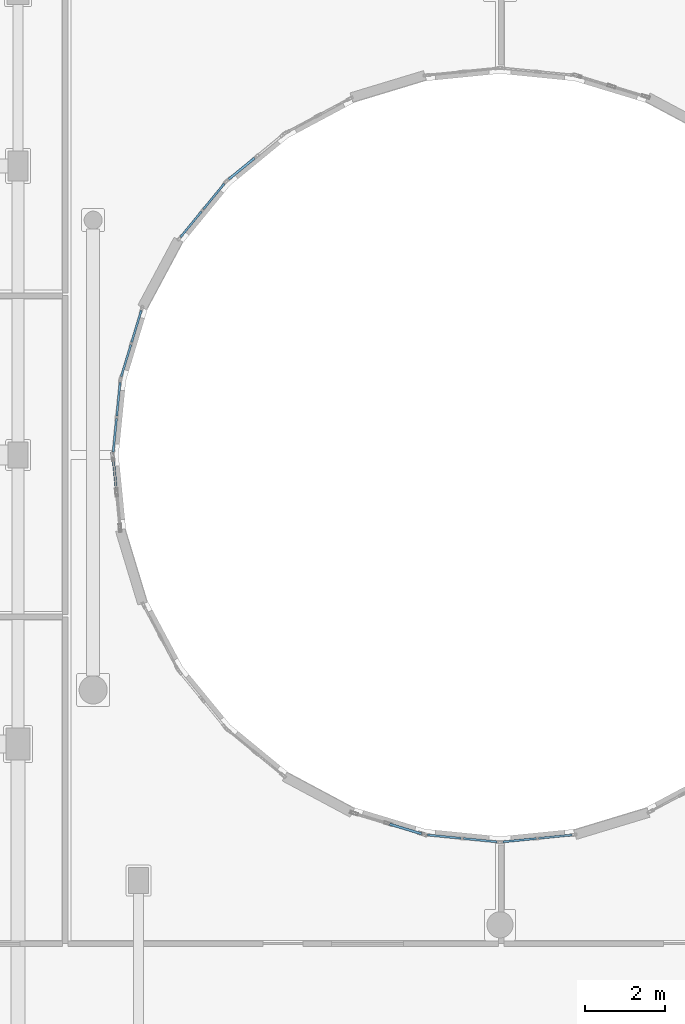
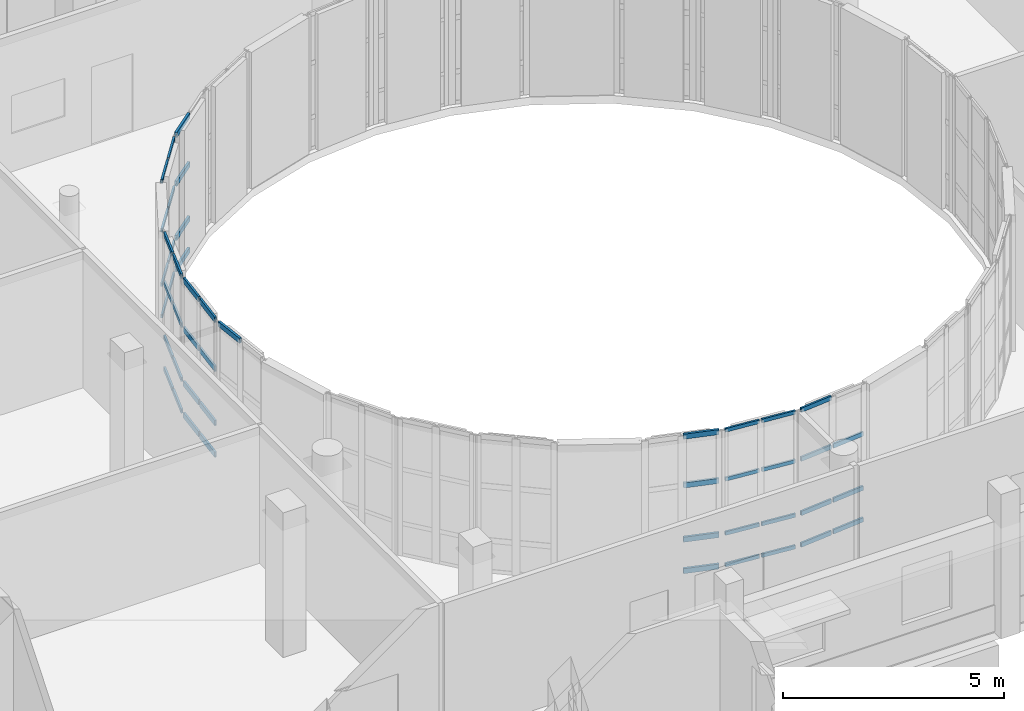
# One storey, part 56 of 105: 48 members, 8 elements without a shape of their own.
"""IFC4 building model written with IfcOpenShell, lengths in metres."""

from ifc_helpers import new_model, si_unit, direction, frame, origin, origin_2d, place, context, subcontext, project, spatial, hollow_rectangle, extrude, material, layer, layer_set, material_profile, profile_set, type_object, element, aggregate, save


model = new_model("IFC4")

# Units and contexts
model_context = context("Model", 3, precision=1e-05, world=origin(), true_north=direction((0.0, 1.0)))
body_context = subcontext(model_context, "Body", "Model", "MODEL_VIEW")
ifc_project = project(units=[si_unit("LENGTHUNIT", "METRE"), si_unit("AREAUNIT", "SQUARE_METRE"), si_unit("VOLUMEUNIT", "CUBIC_METRE"), si_unit("PLANEANGLEUNIT", "RADIAN"), si_unit("MASSUNIT", "GRAM", prefix="KILO")], contexts=[model_context])

# Site, building, storey
site_placement = place(None, origin())
site = spatial("IfcSite", under=ifc_project, at=site_placement, CompositionType="ELEMENT")
building_placement = place(site_placement, origin())
building = spatial("IfcBuilding", under=site, at=building_placement, Name="Kelanivale Promenade Academy", CompositionType="ELEMENT")
storey_placement = place(building_placement, frame((0.0, 0.0, 4.199951171875)))
storey = spatial("IfcBuildingStorey", under=building, at=storey_placement, Name="L01", CompositionType="ELEMENT", Elevation=4.199951171875)

# Curtain wall, members
ifc_material_1 = material(Name="Bronze anodised aluminium and solar-control low-E glass", Category="aluminium")
ifc_layer_1 = layer(ifc_material_1, 0.169921875)
ifc_layer_set_1 = layer_set([ifc_layer_1], Name="Bronze anodised aluminium and solar-control low-E glass")
curtain_wall_type_1 = type_object("IfcCurtainWallType", Name="CW-13 Curtain Wall 1350mm Module", PredefinedType="USERDEFINED", material=ifc_layer_set_1)
curtain_wall_1_placement = place(storey_placement, origin())
curtain_wall_1 = element("IfcCurtainWall", 1, at=curtain_wall_1_placement, inside=storey, type_object=curtain_wall_type_1, Name="L01 courtyard curtain wall CW-13", ObjectType="COURTYARD SCREEN GLAZING", PredefinedType="USERDEFINED")
ifc_material_2 = material(Name="Bronze anodised aluminium EN AW-6063 T6", Category="aluminium")
ifc_material_profile_1 = material_profile(ifc_material_2, hollow_rectangle(XDim=0.050048828125, YDim=0.10009765625, WallThickness=0.0029296875, at=origin_2d()), Name="ALU 50x100x3.0")
ifc_profile_set_1 = profile_set([ifc_material_profile_1], Name="Bronze anodised aluminium EN AW-6063 T6")
member_type_1 = type_object("IfcMemberType", Name="CWT-01 ALU 50x100x3.0", PredefinedType="USERDEFINED", material=ifc_profile_set_1)
member_1_placement = place(storey_placement, frame((91.93603515625, 63.560546875, 0.025146484375), z_axis=(-0.634258248108, -0.773121254854, 0.0), x_axis=(0.773121254854, -0.634258248108, 0.0)))
member_1 = element("IfcMember", 2, at=member_1_placement, type_object=member_type_1, Name="CW-13 transom 1.1", ObjectType="TRANSOM", PredefinedType="USERDEFINED", context=body_context, shape_type="SweptSolid", body=[
    extrude(hollow_rectangle(XDim=0.050048828125, YDim=0.10009765625, WallThickness=0.0029296875, at=origin_2d()), origin(), (0.0, 0.0, 1.0), 0.833251953125),
])
member_2_placement = place(storey_placement, frame((91.93603515625, 63.560546875, 0.900146484375), z_axis=(-0.634258248108, -0.773121254854, 0.0), x_axis=(0.773121254854, -0.634258248108, 0.0)))
member_2 = element("IfcMember", 3, at=member_2_placement, type_object=member_type_1, Name="CW-13 transom 1.2", ObjectType="TRANSOM", PredefinedType="USERDEFINED", context=body_context, shape_type="SweptSolid", body=[
    extrude(hollow_rectangle(XDim=0.050048828125, YDim=0.10009765625, WallThickness=0.0029296875, at=origin_2d()), origin(), (0.0, 0.0, 1.0), 0.833251953125),
])
member_3_placement = place(storey_placement, frame((91.93603515625, 63.560546875, 2.400146484375), z_axis=(-0.634258248108, -0.773121254854, 0.0), x_axis=(0.773121254854, -0.634258248108, 0.0)))
member_3 = element("IfcMember", 4, at=member_3_placement, type_object=member_type_1, Name="CW-13 transom 1.3", ObjectType="TRANSOM", PredefinedType="USERDEFINED", context=body_context, shape_type="SweptSolid", body=[
    extrude(hollow_rectangle(XDim=0.050048828125, YDim=0.10009765625, WallThickness=0.0029296875, at=origin_2d()), origin(), (0.0, 0.0, 1.0), 0.833251953125),
])
member_4_placement = place(storey_placement, frame((91.93603515625, 63.560546875, 3.755126953125), z_axis=(-0.634258248108, -0.773121254854, 0.0), x_axis=(0.773121254854, -0.634258248108, 0.0)))
member_4 = element("IfcMember", 5, at=member_4_placement, type_object=member_type_1, Name="CW-13 transom 1.4", ObjectType="TRANSOM", PredefinedType="USERDEFINED", context=body_context, shape_type="SweptSolid", body=[
    extrude(hollow_rectangle(XDim=0.050048828125, YDim=0.10009765625, WallThickness=0.0029296875, at=origin_2d()), origin(), (0.0, 0.0, 1.0), 0.833251953125),
])
member_5_placement = place(storey_placement, frame((91.369384765625, 62.869873046875, 0.025146484375), z_axis=(-0.633939444819, -0.77338268684, 0.0), x_axis=(0.77338268684, -0.633939444819, 0.0)))
member_5 = element("IfcMember", 6, at=member_5_placement, type_object=member_type_1, Name="CW-13 transom 2.1", ObjectType="TRANSOM", PredefinedType="USERDEFINED", context=body_context, shape_type="SweptSolid", body=[
    extrude(hollow_rectangle(XDim=0.050048828125, YDim=0.10009765625, WallThickness=0.0029296875, at=origin_2d()), origin(), (0.0, 0.0, 1.0), 0.83349609375),
])
member_6_placement = place(storey_placement, frame((91.369384765625, 62.869873046875, 0.900146484375), z_axis=(-0.633939444819, -0.77338268684, 0.0), x_axis=(0.77338268684, -0.633939444819, 0.0)))
member_6 = element("IfcMember", 7, at=member_6_placement, type_object=member_type_1, Name="CW-13 transom 2.2", ObjectType="TRANSOM", PredefinedType="USERDEFINED", context=body_context, shape_type="SweptSolid", body=[
    extrude(hollow_rectangle(XDim=0.050048828125, YDim=0.10009765625, WallThickness=0.0029296875, at=origin_2d()), origin(), (0.0, 0.0, 1.0), 0.83349609375),
])
member_7_placement = place(storey_placement, frame((91.369384765625, 62.869873046875, 2.400146484375), z_axis=(-0.633939444819, -0.77338268684, 0.0), x_axis=(0.77338268684, -0.633939444819, 0.0)))
member_7 = element("IfcMember", 8, at=member_7_placement, type_object=member_type_1, Name="CW-13 transom 2.3", ObjectType="TRANSOM", PredefinedType="USERDEFINED", context=body_context, shape_type="SweptSolid", body=[
    extrude(hollow_rectangle(XDim=0.050048828125, YDim=0.10009765625, WallThickness=0.0029296875, at=origin_2d()), origin(), (0.0, 0.0, 1.0), 0.83349609375),
])
member_8_placement = place(storey_placement, frame((91.369384765625, 62.869873046875, 3.755126953125), z_axis=(-0.633939444819, -0.77338268684, 0.0), x_axis=(0.77338268684, -0.633939444819, 0.0)))
member_8 = element("IfcMember", 9, at=member_8_placement, type_object=member_type_1, Name="CW-13 transom 2.4", ObjectType="TRANSOM", PredefinedType="USERDEFINED", context=body_context, shape_type="SweptSolid", body=[
    extrude(hollow_rectangle(XDim=0.050048828125, YDim=0.10009765625, WallThickness=0.0029296875, at=origin_2d()), origin(), (0.0, 0.0, 1.0), 0.83349609375),
])
aggregate(curtain_wall_1, [member_1, member_2, member_3, member_4, member_5, member_6, member_7, member_8])

ifc_layer_2 = layer(ifc_material_1, 0.159912109375)
ifc_layer_set_2 = layer_set([ifc_layer_2], Name="Bronze anodised aluminium and solar-control low-E glass")
curtain_wall_type_2 = type_object("IfcCurtainWallType", Name="CW-21 Curtain Wall 1650mm Module", PredefinedType="USERDEFINED", material=ifc_layer_set_2)
curtain_wall_2_placement = place(storey_placement, origin())
curtain_wall_2 = element("IfcCurtainWall", 10, at=curtain_wall_2_placement, inside=storey, type_object=curtain_wall_type_2, Name="L01 courtyard curtain wall CW-21", ObjectType="COURTYARD SCREEN GLAZING", PredefinedType="USERDEFINED")
member_9_placement = place(storey_placement, frame((96.99267578125, 47.338134765625, 0.025146484375), z_axis=(0.995145812266, -0.098411444095, 0.0), x_axis=(0.098411444095, 0.995145812266, 0.0)))
member_9 = element("IfcMember", 11, at=member_9_placement, type_object=member_type_1, Name="CW-21 transom 1.1", ObjectType="TRANSOM", PredefinedType="USERDEFINED", context=body_context, shape_type="SweptSolid", body=[
    extrude(hollow_rectangle(XDim=0.050048828125, YDim=0.10009765625, WallThickness=0.0029296875, at=origin_2d()), origin(), (0.0, 0.0, 1.0), 0.841064453125),
])
member_10_placement = place(storey_placement, frame((96.99267578125, 47.338134765625, 0.900146484375), z_axis=(0.995145812266, -0.098411444095, 0.0), x_axis=(0.098411444095, 0.995145812266, 0.0)))
member_10 = element("IfcMember", 12, at=member_10_placement, type_object=member_type_1, Name="CW-21 transom 1.2", ObjectType="TRANSOM", PredefinedType="USERDEFINED", context=body_context, shape_type="SweptSolid", body=[
    extrude(hollow_rectangle(XDim=0.050048828125, YDim=0.10009765625, WallThickness=0.0029296875, at=origin_2d()), origin(), (0.0, 0.0, 1.0), 0.841064453125),
])
member_11_placement = place(storey_placement, frame((96.99267578125, 47.338134765625, 2.400146484375), z_axis=(0.995145812266, -0.098411444095, 0.0), x_axis=(0.098411444095, 0.995145812266, 0.0)))
member_11 = element("IfcMember", 13, at=member_11_placement, type_object=member_type_1, Name="CW-21 transom 1.3", ObjectType="TRANSOM", PredefinedType="USERDEFINED", context=body_context, shape_type="SweptSolid", body=[
    extrude(hollow_rectangle(XDim=0.050048828125, YDim=0.10009765625, WallThickness=0.0029296875, at=origin_2d()), origin(), (0.0, 0.0, 1.0), 0.841064453125),
])
member_12_placement = place(storey_placement, frame((96.99267578125, 47.338134765625, 3.755126953125), z_axis=(0.995145812266, -0.098411444095, 0.0), x_axis=(0.098411444095, 0.995145812266, 0.0)))
member_12 = element("IfcMember", 14, at=member_12_placement, type_object=member_type_1, Name="CW-21 transom 1.4", ObjectType="TRANSOM", PredefinedType="USERDEFINED", context=body_context, shape_type="SweptSolid", body=[
    extrude(hollow_rectangle(XDim=0.050048828125, YDim=0.10009765625, WallThickness=0.0029296875, at=origin_2d()), origin(), (0.0, 0.0, 1.0), 0.841064453125),
])
member_13_placement = place(storey_placement, frame((97.889404296875, 47.24951171875, 0.025146484375), z_axis=(0.995174201639, -0.098123944036, 0.0), x_axis=(0.098123944036, 0.995174201639, 0.0)))
member_13 = element("IfcMember", 15, at=member_13_placement, type_object=member_type_1, Name="CW-21 transom 2.1", ObjectType="TRANSOM", PredefinedType="USERDEFINED", context=body_context, shape_type="SweptSolid", body=[
    extrude(hollow_rectangle(XDim=0.050048828125, YDim=0.10009765625, WallThickness=0.0029296875, at=origin_2d()), origin(), (0.0, 0.0, 1.0), 0.841064453125),
])
member_14_placement = place(storey_placement, frame((97.889404296875, 47.24951171875, 0.900146484375), z_axis=(0.995174201639, -0.098123944036, 0.0), x_axis=(0.098123944036, 0.995174201639, 0.0)))
member_14 = element("IfcMember", 16, at=member_14_placement, type_object=member_type_1, Name="CW-21 transom 2.2", ObjectType="TRANSOM", PredefinedType="USERDEFINED", context=body_context, shape_type="SweptSolid", body=[
    extrude(hollow_rectangle(XDim=0.050048828125, YDim=0.10009765625, WallThickness=0.0029296875, at=origin_2d()), origin(), (0.0, 0.0, 1.0), 0.841064453125),
])
member_15_placement = place(storey_placement, frame((97.889404296875, 47.24951171875, 2.400146484375), z_axis=(0.995174201639, -0.098123944036, 0.0), x_axis=(0.098123944036, 0.995174201639, 0.0)))
member_15 = element("IfcMember", 17, at=member_15_placement, type_object=member_type_1, Name="CW-21 transom 2.3", ObjectType="TRANSOM", PredefinedType="USERDEFINED", context=body_context, shape_type="SweptSolid", body=[
    extrude(hollow_rectangle(XDim=0.050048828125, YDim=0.10009765625, WallThickness=0.0029296875, at=origin_2d()), origin(), (0.0, 0.0, 1.0), 0.841064453125),
])
member_16_placement = place(storey_placement, frame((97.889404296875, 47.24951171875, 3.755126953125), z_axis=(0.995174201639, -0.098123944036, 0.0), x_axis=(0.098123944036, 0.995174201639, 0.0)))
member_16 = element("IfcMember", 18, at=member_16_placement, type_object=member_type_1, Name="CW-21 transom 2.4", ObjectType="TRANSOM", PredefinedType="USERDEFINED", context=body_context, shape_type="SweptSolid", body=[
    extrude(hollow_rectangle(XDim=0.050048828125, YDim=0.10009765625, WallThickness=0.0029296875, at=origin_2d()), origin(), (0.0, 0.0, 1.0), 0.841064453125),
])
aggregate(curtain_wall_2, [member_9, member_10, member_11, member_12, member_13, member_14, member_15, member_16])

ifc_layer_3 = layer(ifc_material_1, 0.179931640625)
ifc_layer_set_3 = layer_set([ifc_layer_3], Name="Bronze anodised aluminium and solar-control low-E glass")
curtain_wall_type_3 = type_object("IfcCurtainWallType", Name="CW-14 Curtain Wall 1500mm Module", PredefinedType="USERDEFINED", material=ifc_layer_set_3)
curtain_wall_3_placement = place(storey_placement, origin())
curtain_wall_3 = element("IfcCurtainWall", 19, at=curtain_wall_3_placement, inside=storey, type_object=curtain_wall_type_3, Name="L01 courtyard curtain wall CW-14", ObjectType="COURTYARD SCREEN GLAZING", PredefinedType="USERDEFINED")
ifc_material_profile_2 = material_profile(ifc_material_2, hollow_rectangle(XDim=0.050048828125, YDim=0.1201171875, WallThickness=0.0029296875, at=origin_2d()), Name="ALU 50x120x3.0")
ifc_profile_set_2 = profile_set([ifc_material_profile_2], Name="Bronze anodised aluminium EN AW-6063 T6")
member_type_2 = type_object("IfcMemberType", Name="CWT-02 ALU 50x120x3.0", PredefinedType="USERDEFINED", material=ifc_profile_set_2)
member_17_placement = place(storey_placement, frame((89.86767578125, 60.404541015625, 0.025146484375), z_axis=(-0.2901943181, -0.956967741223, 0.0), x_axis=(0.956967741223, -0.2901943181, 0.0)))
member_17 = element("IfcMember", 20, at=member_17_placement, type_object=member_type_2, Name="CW-14 transom 1.1", ObjectType="TRANSOM", PredefinedType="USERDEFINED", context=body_context, shape_type="SweptSolid", body=[
    extrude(hollow_rectangle(XDim=0.050048828125, YDim=0.1201171875, WallThickness=0.0029296875, at=origin_2d()), origin(), (0.0, 0.0, 1.0), 0.833740234375),
])
member_18_placement = place(storey_placement, frame((89.86767578125, 60.404541015625, 0.900146484375), z_axis=(-0.2901943181, -0.956967741223, 0.0), x_axis=(0.956967741223, -0.2901943181, 0.0)))
member_18 = element("IfcMember", 21, at=member_18_placement, type_object=member_type_2, Name="CW-14 transom 1.2", ObjectType="TRANSOM", PredefinedType="USERDEFINED", context=body_context, shape_type="SweptSolid", body=[
    extrude(hollow_rectangle(XDim=0.050048828125, YDim=0.1201171875, WallThickness=0.0029296875, at=origin_2d()), origin(), (0.0, 0.0, 1.0), 0.833740234375),
])
member_19_placement = place(storey_placement, frame((89.86767578125, 60.404541015625, 2.400146484375), z_axis=(-0.2901943181, -0.956967741223, 0.0), x_axis=(0.956967741223, -0.2901943181, 0.0)))
member_19 = element("IfcMember", 22, at=member_19_placement, type_object=member_type_2, Name="CW-14 transom 1.3", ObjectType="TRANSOM", PredefinedType="USERDEFINED", context=body_context, shape_type="SweptSolid", body=[
    extrude(hollow_rectangle(XDim=0.050048828125, YDim=0.1201171875, WallThickness=0.0029296875, at=origin_2d()), origin(), (0.0, 0.0, 1.0), 0.833740234375),
])
member_20_placement = place(storey_placement, frame((89.86767578125, 60.404541015625, 3.755126953125), z_axis=(-0.2901943181, -0.956967741223, 0.0), x_axis=(0.956967741223, -0.2901943181, 0.0)))
member_20 = element("IfcMember", 23, at=member_20_placement, type_object=member_type_2, Name="CW-14 transom 1.4", ObjectType="TRANSOM", PredefinedType="USERDEFINED", context=body_context, shape_type="SweptSolid", body=[
    extrude(hollow_rectangle(XDim=0.050048828125, YDim=0.1201171875, WallThickness=0.0029296875, at=origin_2d()), origin(), (0.0, 0.0, 1.0), 0.833740234375),
])
member_21_placement = place(storey_placement, frame((89.6083984375, 59.54931640625, 0.025146484375), z_axis=(-0.2901943181, -0.956967741223, 0.0), x_axis=(0.956967741223, -0.2901943181, 0.0)))
member_21 = element("IfcMember", 24, at=member_21_placement, type_object=member_type_2, Name="CW-14 transom 2.1", ObjectType="TRANSOM", PredefinedType="USERDEFINED", context=body_context, shape_type="SweptSolid", body=[
    extrude(hollow_rectangle(XDim=0.050048828125, YDim=0.1201171875, WallThickness=0.0029296875, at=origin_2d()), origin(), (0.0, 0.0, 1.0), 0.833740234375),
])
member_22_placement = place(storey_placement, frame((89.6083984375, 59.54931640625, 0.900146484375), z_axis=(-0.2901943181, -0.956967741223, 0.0), x_axis=(0.956967741223, -0.2901943181, 0.0)))
member_22 = element("IfcMember", 25, at=member_22_placement, type_object=member_type_2, Name="CW-14 transom 2.2", ObjectType="TRANSOM", PredefinedType="USERDEFINED", context=body_context, shape_type="SweptSolid", body=[
    extrude(hollow_rectangle(XDim=0.050048828125, YDim=0.1201171875, WallThickness=0.0029296875, at=origin_2d()), origin(), (0.0, 0.0, 1.0), 0.833740234375),
])
member_23_placement = place(storey_placement, frame((89.6083984375, 59.54931640625, 2.400146484375), z_axis=(-0.2901943181, -0.956967741223, 0.0), x_axis=(0.956967741223, -0.2901943181, 0.0)))
member_23 = element("IfcMember", 26, at=member_23_placement, type_object=member_type_2, Name="CW-14 transom 2.3", ObjectType="TRANSOM", PredefinedType="USERDEFINED", context=body_context, shape_type="SweptSolid", body=[
    extrude(hollow_rectangle(XDim=0.050048828125, YDim=0.1201171875, WallThickness=0.0029296875, at=origin_2d()), origin(), (0.0, 0.0, 1.0), 0.833740234375),
])
member_24_placement = place(storey_placement, frame((89.6083984375, 59.54931640625, 3.755126953125), z_axis=(-0.2901943181, -0.956967741223, 0.0), x_axis=(0.956967741223, -0.2901943181, 0.0)))
member_24 = element("IfcMember", 27, at=member_24_placement, type_object=member_type_2, Name="CW-14 transom 2.4", ObjectType="TRANSOM", PredefinedType="USERDEFINED", context=body_context, shape_type="SweptSolid", body=[
    extrude(hollow_rectangle(XDim=0.050048828125, YDim=0.1201171875, WallThickness=0.0029296875, at=origin_2d()), origin(), (0.0, 0.0, 1.0), 0.833740234375),
])
aggregate(curtain_wall_3, [member_17, member_18, member_19, member_20, member_21, member_22, member_23, member_24])

ifc_layer_4 = layer(ifc_material_1, 0.169921875)
ifc_layer_set_4 = layer_set([ifc_layer_4], Name="Bronze anodised aluminium and solar-control low-E glass")
curtain_wall_type_4 = type_object("IfcCurtainWallType", Name="CW-22 Curtain Wall 1800mm Module", PredefinedType="USERDEFINED", material=ifc_layer_set_4)
curtain_wall_4_placement = place(storey_placement, origin())
curtain_wall_4 = element("IfcCurtainWall", 28, at=curtain_wall_4_placement, inside=storey, type_object=curtain_wall_type_4, Name="L01 courtyard curtain wall CW-22", ObjectType="COURTYARD SCREEN GLAZING", PredefinedType="USERDEFINED")
member_25_placement = place(storey_placement, frame((98.873779296875, 47.1669921875, 0.025146484375), z_axis=(0.995143929023, 0.098430485767, 0.0), x_axis=(-0.098430485767, 0.995143929023, 0.0)))
member_25 = element("IfcMember", 29, at=member_25_placement, type_object=member_type_2, Name="CW-22 transom 1.1", ObjectType="TRANSOM", PredefinedType="USERDEFINED", context=body_context, shape_type="SweptSolid", body=[
    extrude(hollow_rectangle(XDim=0.050048828125, YDim=0.1201171875, WallThickness=0.0029296875, at=origin_2d()), origin(), (0.0, 0.0, 1.0), 0.83349609375),
])
member_26_placement = place(storey_placement, frame((98.873779296875, 47.1669921875, 0.900146484375), z_axis=(0.995143929023, 0.098430485767, 0.0), x_axis=(-0.098430485767, 0.995143929023, 0.0)))
member_26 = element("IfcMember", 30, at=member_26_placement, type_object=member_type_2, Name="CW-22 transom 1.2", ObjectType="TRANSOM", PredefinedType="USERDEFINED", context=body_context, shape_type="SweptSolid", body=[
    extrude(hollow_rectangle(XDim=0.050048828125, YDim=0.1201171875, WallThickness=0.0029296875, at=origin_2d()), origin(), (0.0, 0.0, 1.0), 0.83349609375),
])
member_27_placement = place(storey_placement, frame((98.873779296875, 47.1669921875, 2.400146484375), z_axis=(0.995143929023, 0.098430485767, 0.0), x_axis=(-0.098430485767, 0.995143929023, 0.0)))
member_27 = element("IfcMember", 31, at=member_27_placement, type_object=member_type_2, Name="CW-22 transom 1.3", ObjectType="TRANSOM", PredefinedType="USERDEFINED", context=body_context, shape_type="SweptSolid", body=[
    extrude(hollow_rectangle(XDim=0.050048828125, YDim=0.1201171875, WallThickness=0.0029296875, at=origin_2d()), origin(), (0.0, 0.0, 1.0), 0.83349609375),
])
member_28_placement = place(storey_placement, frame((98.873779296875, 47.1669921875, 3.755126953125), z_axis=(0.995143929023, 0.098430485767, 0.0), x_axis=(-0.098430485767, 0.995143929023, 0.0)))
member_28 = element("IfcMember", 32, at=member_28_placement, type_object=member_type_2, Name="CW-22 transom 1.4", ObjectType="TRANSOM", PredefinedType="USERDEFINED", context=body_context, shape_type="SweptSolid", body=[
    extrude(hollow_rectangle(XDim=0.050048828125, YDim=0.1201171875, WallThickness=0.0029296875, at=origin_2d()), origin(), (0.0, 0.0, 1.0), 0.83349609375),
])
member_29_placement = place(storey_placement, frame((99.762939453125, 47.2548828125, 0.025146484375), z_axis=(0.99511519259, 0.098720582839, 0.0), x_axis=(-0.098720582839, 0.99511519259, 0.0)))
member_29 = element("IfcMember", 33, at=member_29_placement, type_object=member_type_2, Name="CW-22 transom 2.1", ObjectType="TRANSOM", PredefinedType="USERDEFINED", context=body_context, shape_type="SweptSolid", body=[
    extrude(hollow_rectangle(XDim=0.050048828125, YDim=0.1201171875, WallThickness=0.0029296875, at=origin_2d()), origin(), (0.0, 0.0, 1.0), 0.83349609375),
])
member_30_placement = place(storey_placement, frame((99.762939453125, 47.2548828125, 0.900146484375), z_axis=(0.99511519259, 0.098720582839, 0.0), x_axis=(-0.098720582839, 0.99511519259, 0.0)))
member_30 = element("IfcMember", 34, at=member_30_placement, type_object=member_type_2, Name="CW-22 transom 2.2", ObjectType="TRANSOM", PredefinedType="USERDEFINED", context=body_context, shape_type="SweptSolid", body=[
    extrude(hollow_rectangle(XDim=0.050048828125, YDim=0.1201171875, WallThickness=0.0029296875, at=origin_2d()), origin(), (0.0, 0.0, 1.0), 0.83349609375),
])
member_31_placement = place(storey_placement, frame((99.762939453125, 47.2548828125, 2.400146484375), z_axis=(0.99511519259, 0.098720582839, 0.0), x_axis=(-0.098720582839, 0.99511519259, 0.0)))
member_31 = element("IfcMember", 35, at=member_31_placement, type_object=member_type_2, Name="CW-22 transom 2.3", ObjectType="TRANSOM", PredefinedType="USERDEFINED", context=body_context, shape_type="SweptSolid", body=[
    extrude(hollow_rectangle(XDim=0.050048828125, YDim=0.1201171875, WallThickness=0.0029296875, at=origin_2d()), origin(), (0.0, 0.0, 1.0), 0.83349609375),
])
aggregate(curtain_wall_4, [member_25, member_26, member_27, member_28, member_29, member_30, member_31])

ifc_layer_5 = layer(ifc_material_1, 0.159912109375)
ifc_layer_set_5 = layer_set([ifc_layer_5], Name="Bronze anodised aluminium and solar-control low-E glass")
curtain_wall_type_5 = type_object("IfcCurtainWallType", Name="CW-15 Curtain Wall 1650mm Module", PredefinedType="USERDEFINED", material=ifc_layer_set_5)
curtain_wall_5_placement = place(storey_placement, origin())
curtain_wall_5 = element("IfcCurtainWall", 36, at=curtain_wall_5_placement, inside=storey, type_object=curtain_wall_type_5, Name="L01 courtyard curtain wall CW-15", ObjectType="COURTYARD SCREEN GLAZING", PredefinedType="USERDEFINED")
ifc_material_profile_3 = material_profile(ifc_material_2, hollow_rectangle(XDim=0.050048828125, YDim=0.14990234375, WallThickness=0.00341796875, at=origin_2d()), Name="ALU 50x150x3.5")
ifc_profile_set_3 = profile_set([ifc_material_profile_3], Name="Bronze anodised aluminium EN AW-6063 T6")
member_type_3 = type_object("IfcMemberType", Name="CWT-03 ALU 50x150x3.5", PredefinedType="USERDEFINED", material=ifc_profile_set_3)
member_32_placement = place(storey_placement, frame((89.337646484375, 58.602294921875, 0.025146484375), z_axis=(-0.098430485767, -0.995143929023, 0.0), x_axis=(0.995143929023, -0.098430485767, 0.0)))
member_32 = element("IfcMember", 37, at=member_32_placement, type_object=member_type_3, Name="CW-15 transom 1.1", ObjectType="TRANSOM", PredefinedType="USERDEFINED", context=body_context, shape_type="SweptSolid", body=[
    extrude(hollow_rectangle(XDim=0.050048828125, YDim=0.14990234375, WallThickness=0.00341796875, at=origin_2d()), origin(), (0.0, 0.0, 1.0), 0.83349609375),
])
member_33_placement = place(storey_placement, frame((89.337646484375, 58.602294921875, 0.900146484375), z_axis=(-0.098430485767, -0.995143929023, 0.0), x_axis=(0.995143929023, -0.098430485767, 0.0)))
member_33 = element("IfcMember", 38, at=member_33_placement, type_object=member_type_3, Name="CW-15 transom 1.2", ObjectType="TRANSOM", PredefinedType="USERDEFINED", context=body_context, shape_type="SweptSolid", body=[
    extrude(hollow_rectangle(XDim=0.050048828125, YDim=0.14990234375, WallThickness=0.00341796875, at=origin_2d()), origin(), (0.0, 0.0, 1.0), 0.83349609375),
])
member_34_placement = place(storey_placement, frame((89.337646484375, 58.602294921875, 2.400146484375), z_axis=(-0.098430485767, -0.995143929023, 0.0), x_axis=(0.995143929023, -0.098430485767, 0.0)))
member_34 = element("IfcMember", 39, at=member_34_placement, type_object=member_type_3, Name="CW-15 transom 1.3", ObjectType="TRANSOM", PredefinedType="USERDEFINED", context=body_context, shape_type="SweptSolid", body=[
    extrude(hollow_rectangle(XDim=0.050048828125, YDim=0.14990234375, WallThickness=0.00341796875, at=origin_2d()), origin(), (0.0, 0.0, 1.0), 0.83349609375),
])
member_35_placement = place(storey_placement, frame((89.337646484375, 58.602294921875, 3.755126953125), z_axis=(-0.098430485767, -0.995143929023, 0.0), x_axis=(0.995143929023, -0.098430485767, 0.0)))
member_35 = element("IfcMember", 40, at=member_35_placement, type_object=member_type_3, Name="CW-15 transom 1.4", ObjectType="TRANSOM", PredefinedType="USERDEFINED", context=body_context, shape_type="SweptSolid", body=[
    extrude(hollow_rectangle(XDim=0.050048828125, YDim=0.14990234375, WallThickness=0.00341796875, at=origin_2d()), origin(), (0.0, 0.0, 1.0), 0.83349609375),
])
member_36_placement = place(storey_placement, frame((89.249267578125, 57.708251953125, 0.025146484375), z_axis=(-0.098111759852, -0.995175402921, 0.0), x_axis=(0.995175402921, -0.098111759852, 0.0)))
member_36 = element("IfcMember", 41, at=member_36_placement, type_object=member_type_3, Name="CW-15 transom 2.1", ObjectType="TRANSOM", PredefinedType="USERDEFINED", context=body_context, shape_type="SweptSolid", body=[
    extrude(hollow_rectangle(XDim=0.050048828125, YDim=0.14990234375, WallThickness=0.00341796875, at=origin_2d()), origin(), (0.0, 0.0, 1.0), 0.83349609375),
])
member_37_placement = place(storey_placement, frame((89.249267578125, 57.708251953125, 0.900146484375), z_axis=(-0.098111759852, -0.995175402921, 0.0), x_axis=(0.995175402921, -0.098111759852, 0.0)))
member_37 = element("IfcMember", 42, at=member_37_placement, type_object=member_type_3, Name="CW-15 transom 2.2", ObjectType="TRANSOM", PredefinedType="USERDEFINED", context=body_context, shape_type="SweptSolid", body=[
    extrude(hollow_rectangle(XDim=0.050048828125, YDim=0.14990234375, WallThickness=0.00341796875, at=origin_2d()), origin(), (0.0, 0.0, 1.0), 0.83349609375),
])
member_38_placement = place(storey_placement, frame((89.249267578125, 57.708251953125, 2.400146484375), z_axis=(-0.098111759852, -0.995175402921, 0.0), x_axis=(0.995175402921, -0.098111759852, 0.0)))
member_38 = element("IfcMember", 43, at=member_38_placement, type_object=member_type_3, Name="CW-15 transom 2.3", ObjectType="TRANSOM", PredefinedType="USERDEFINED", context=body_context, shape_type="SweptSolid", body=[
    extrude(hollow_rectangle(XDim=0.050048828125, YDim=0.14990234375, WallThickness=0.00341796875, at=origin_2d()), origin(), (0.0, 0.0, 1.0), 0.83349609375),
])
member_39_placement = place(storey_placement, frame((89.249267578125, 57.708251953125, 3.755126953125), z_axis=(-0.098111759852, -0.995175402921, 0.0), x_axis=(0.995175402921, -0.098111759852, 0.0)))
member_39 = element("IfcMember", 44, at=member_39_placement, type_object=member_type_3, Name="CW-15 transom 2.4", ObjectType="TRANSOM", PredefinedType="USERDEFINED", context=body_context, shape_type="SweptSolid", body=[
    extrude(hollow_rectangle(XDim=0.050048828125, YDim=0.14990234375, WallThickness=0.00341796875, at=origin_2d()), origin(), (0.0, 0.0, 1.0), 0.83349609375),
])
aggregate(curtain_wall_5, [member_32, member_33, member_34, member_35, member_36, member_37, member_38, member_39])

ifc_layer_6 = layer(ifc_material_1, 0.159912109375)
ifc_layer_set_6 = layer_set([ifc_layer_6], Name="Bronze anodised aluminium and solar-control low-E glass")
curtain_wall_type_6 = type_object("IfcCurtainWallType", Name="CW-12 Curtain Wall 1200mm Module", PredefinedType="USERDEFINED", material=ifc_layer_set_6)
curtain_wall_6_placement = place(storey_placement, origin())
curtain_wall_6 = element("IfcCurtainWall", 45, at=curtain_wall_6_placement, inside=storey, type_object=curtain_wall_type_6, Name="L01 courtyard curtain wall CW-12", ObjectType="UNITISED GLAZING", PredefinedType="USERDEFINED")
ifc_material_profile_4 = material_profile(ifc_material_2, hollow_rectangle(XDim=0.06005859375, YDim=0.139892578125, WallThickness=0.00341796875, at=origin_2d()), Name="ALU 60x140x3.5")
ifc_profile_set_4 = profile_set([ifc_material_profile_4], Name="Bronze anodised aluminium EN AW-6063 T6")
member_type_4 = type_object("IfcMemberType", Name="CWT-04 ALU 60x140x3.5", PredefinedType="USERDEFINED", material=ifc_profile_set_4)
member_40_placement = place(storey_placement, frame((92.68798828125, 64.19580078125, 0.030029296875), z_axis=(-0.773356800683, -0.633971023657, 0.0), x_axis=(0.633971023657, -0.773356800683, 0.0)))
member_40 = element("IfcMember", 46, at=member_40_placement, type_object=member_type_4, Name="CW-12 transom 2.1", ObjectType="TRANSOM", PredefinedType="USERDEFINED", context=body_context, shape_type="SweptSolid", body=[
    extrude(hollow_rectangle(XDim=0.06005859375, YDim=0.139892578125, WallThickness=0.00341796875, at=origin_2d()), origin(), (0.0, 0.0, 1.0), 0.833740234375),
])
member_41_placement = place(storey_placement, frame((92.68798828125, 64.19580078125, 0.900146484375), z_axis=(-0.773356800683, -0.633971023657, 0.0), x_axis=(0.633971023657, -0.773356800683, 0.0)))
member_41 = element("IfcMember", 47, at=member_41_placement, type_object=member_type_4, Name="CW-12 transom 2.2", ObjectType="TRANSOM", PredefinedType="USERDEFINED", context=body_context, shape_type="SweptSolid", body=[
    extrude(hollow_rectangle(XDim=0.06005859375, YDim=0.139892578125, WallThickness=0.00341796875, at=origin_2d()), origin(), (0.0, 0.0, 1.0), 0.833740234375),
])
member_42_placement = place(storey_placement, frame((92.68798828125, 64.19580078125, 2.400146484375), z_axis=(-0.773356800683, -0.633971023657, 0.0), x_axis=(0.633971023657, -0.773356800683, 0.0)))
member_42 = element("IfcMember", 48, at=member_42_placement, type_object=member_type_4, Name="CW-12 transom 2.3", ObjectType="TRANSOM", PredefinedType="USERDEFINED", context=body_context, shape_type="SweptSolid", body=[
    extrude(hollow_rectangle(XDim=0.06005859375, YDim=0.139892578125, WallThickness=0.00341796875, at=origin_2d()), origin(), (0.0, 0.0, 1.0), 0.833740234375),
])
member_43_placement = place(storey_placement, frame((92.68798828125, 64.19580078125, 3.75), z_axis=(-0.773356800683, -0.633971023657, 0.0), x_axis=(0.633971023657, -0.773356800683, 0.0)))
member_43 = element("IfcMember", 49, at=member_43_placement, type_object=member_type_4, Name="CW-12 transom 2.4", ObjectType="TRANSOM", PredefinedType="USERDEFINED", context=body_context, shape_type="SweptSolid", body=[
    extrude(hollow_rectangle(XDim=0.06005859375, YDim=0.139892578125, WallThickness=0.00341796875, at=origin_2d()), origin(), (0.0, 0.0, 1.0), 0.833740234375),
])
aggregate(curtain_wall_6, [member_40, member_41, member_42, member_43])

# Curtain wall, member
ifc_layer_7 = layer(ifc_material_1, 0.169921875)
ifc_layer_set_7 = layer_set([ifc_layer_7], Name="Bronze anodised aluminium and solar-control low-E glass")
curtain_wall_type_7 = type_object("IfcCurtainWallType", Name="CW-16 Curtain Wall 1800mm Module", PredefinedType="USERDEFINED", material=ifc_layer_set_7)
curtain_wall_7_placement = place(storey_placement, origin())
curtain_wall_7 = element("IfcCurtainWall", 50, at=curtain_wall_7_placement, inside=storey, type_object=curtain_wall_type_7, Name="L01 courtyard curtain wall CW-16", ObjectType="COURTYARD SCREEN GLAZING", PredefinedType="USERDEFINED")
member_44_placement = place(storey_placement, frame((89.16748046875, 56.721435546875, 3.75), z_axis=(0.0984209217, -0.995144874966, 0.0), x_axis=(0.995144874966, 0.0984209217, 0.0)))
member_44 = element("IfcMember", 51, at=member_44_placement, type_object=member_type_4, Name="CW-16 transom 1.4", ObjectType="TRANSOM", PredefinedType="USERDEFINED", context=body_context, shape_type="SweptSolid", body=[
    extrude(hollow_rectangle(XDim=0.06005859375, YDim=0.139892578125, WallThickness=0.00341796875, at=origin_2d()), origin(), (0.0, 0.0, 1.0), 0.825927734375),
])
aggregate(curtain_wall_7, [member_44])

# Curtain wall, members
ifc_layer_8 = layer(ifc_material_1, 0.179931640625)
ifc_layer_set_8 = layer_set([ifc_layer_8], Name="Bronze anodised aluminium and solar-control low-E glass")
curtain_wall_type_8 = type_object("IfcCurtainWallType", Name="CW-20 Curtain Wall 1500mm Module", PredefinedType="USERDEFINED", material=ifc_layer_set_8)
curtain_wall_8_placement = place(storey_placement, origin())
curtain_wall_8 = element("IfcCurtainWall", 52, at=curtain_wall_8_placement, inside=storey, type_object=curtain_wall_type_8, Name="L01 courtyard curtain wall CW-20", ObjectType="COURTYARD SCREEN GLAZING", PredefinedType="USERDEFINED")
member_45_placement = place(storey_placement, frame((96.05322265625, 47.607666015625, 0.030029296875), z_axis=(0.956959754515, -0.290220654396, 0.0), x_axis=(0.290220654396, 0.956959754515, 0.0)))
member_45 = element("IfcMember", 53, at=member_45_placement, type_object=member_type_4, Name="CW-20 transom 2.1", ObjectType="TRANSOM", PredefinedType="USERDEFINED", context=body_context, shape_type="SweptSolid", body=[
    extrude(hollow_rectangle(XDim=0.06005859375, YDim=0.139892578125, WallThickness=0.00341796875, at=origin_2d()), origin(), (0.0, 0.0, 1.0), 0.826171875),
])
member_46_placement = place(storey_placement, frame((96.05322265625, 47.607666015625, 0.900146484375), z_axis=(0.956959754515, -0.290220654396, 0.0), x_axis=(0.290220654396, 0.956959754515, 0.0)))
member_46 = element("IfcMember", 54, at=member_46_placement, type_object=member_type_4, Name="CW-20 transom 2.2", ObjectType="TRANSOM", PredefinedType="USERDEFINED", context=body_context, shape_type="SweptSolid", body=[
    extrude(hollow_rectangle(XDim=0.06005859375, YDim=0.139892578125, WallThickness=0.00341796875, at=origin_2d()), origin(), (0.0, 0.0, 1.0), 0.826171875),
])
member_47_placement = place(storey_placement, frame((96.05322265625, 47.607666015625, 2.400146484375), z_axis=(0.956959754515, -0.290220654396, 0.0), x_axis=(0.290220654396, 0.956959754515, 0.0)))
member_47 = element("IfcMember", 55, at=member_47_placement, type_object=member_type_4, Name="CW-20 transom 2.3", ObjectType="TRANSOM", PredefinedType="USERDEFINED", context=body_context, shape_type="SweptSolid", body=[
    extrude(hollow_rectangle(XDim=0.06005859375, YDim=0.139892578125, WallThickness=0.00341796875, at=origin_2d()), origin(), (0.0, 0.0, 1.0), 0.826171875),
])
member_48_placement = place(storey_placement, frame((96.05322265625, 47.607666015625, 3.75), z_axis=(0.956959754515, -0.290220654396, 0.0), x_axis=(0.290220654396, 0.956959754515, 0.0)))
member_48 = element("IfcMember", 56, at=member_48_placement, type_object=member_type_4, Name="CW-20 transom 2.4", ObjectType="TRANSOM", PredefinedType="USERDEFINED", context=body_context, shape_type="SweptSolid", body=[
    extrude(hollow_rectangle(XDim=0.06005859375, YDim=0.139892578125, WallThickness=0.00341796875, at=origin_2d()), origin(), (0.0, 0.0, 1.0), 0.826171875),
])
aggregate(curtain_wall_8, [member_45, member_46, member_47, member_48])

save(model, "model.ifc")
